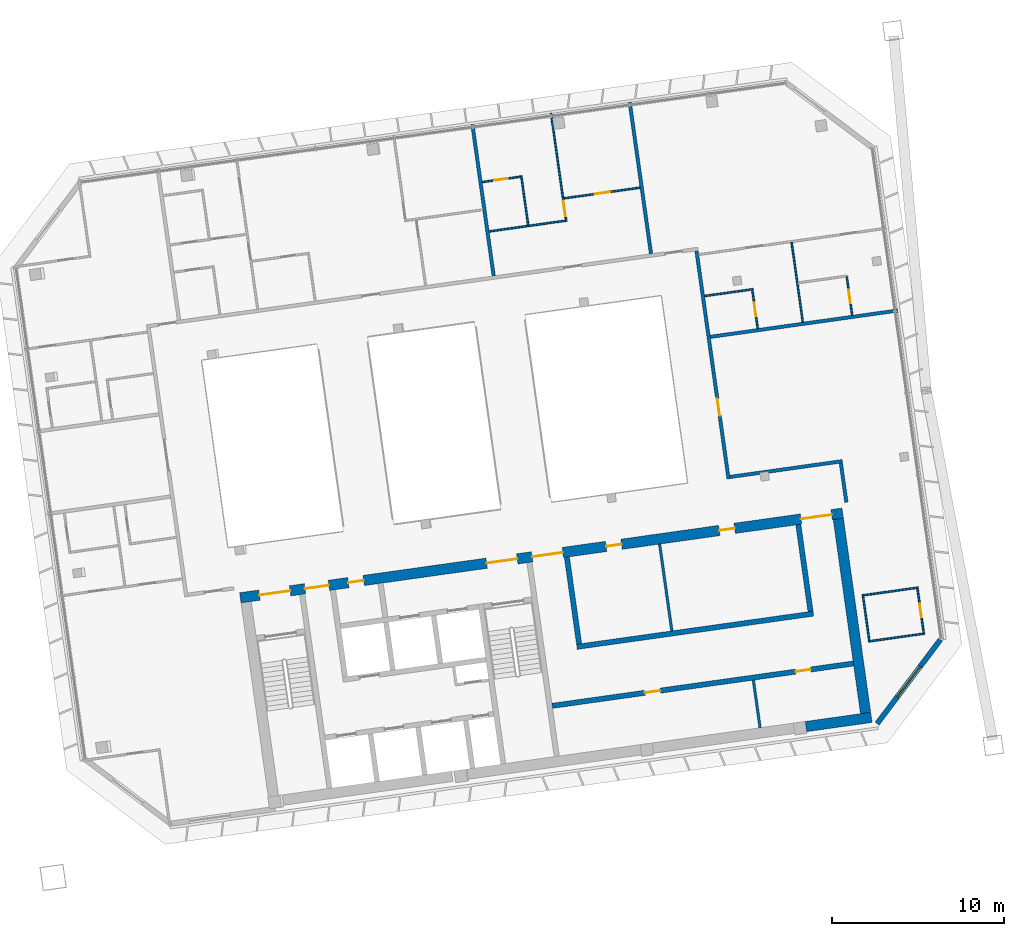
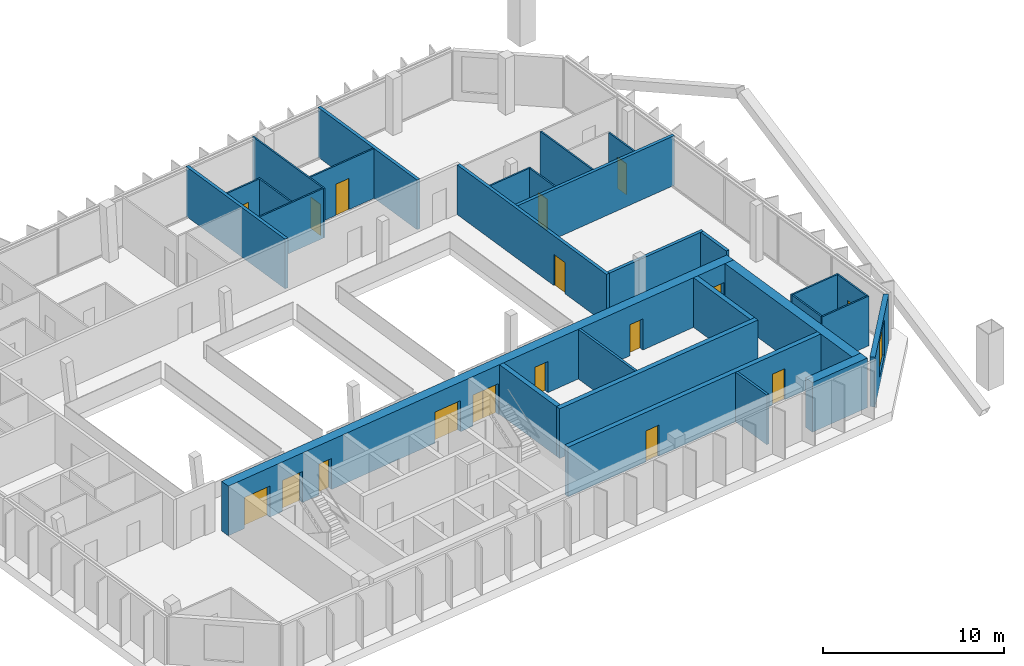
# One storey, part 19 of 23: 29 walls, 17 doors, 1 window, 18 openings.
"""IFC4 building model written with IfcOpenShell, lengths in metres."""

from ifc_helpers import new_model, si_unit, direction, frame, frame_2d, origin, place, context, subcontext, project, spatial, rectangle, extrude, material, layer, layer_set, type_object, element, fill, save


model = new_model("IFC4")

# Units and contexts
model_context = context("Model", 3, precision=1e-05, world=origin(), true_north=direction((0.0, 1.0)))
body_context = subcontext(model_context, "Body", "Model", "MODEL_VIEW")
ifc_project = project(units=[si_unit("LENGTHUNIT", "METRE"), si_unit("AREAUNIT", "SQUARE_METRE"), si_unit("VOLUMEUNIT", "CUBIC_METRE"), si_unit("PLANEANGLEUNIT", "RADIAN"), si_unit("MASSUNIT", "GRAM", prefix="KILO")], contexts=[model_context])

# Site, building, storey
site_placement = place(None, origin())
site = spatial("IfcSite", under=ifc_project, at=site_placement, CompositionType="ELEMENT")
building_placement = place(site_placement, origin())
building = spatial("IfcBuilding", under=site, at=building_placement, Name="Mirante Cascada Hotel Towers", CompositionType="ELEMENT")
storey_placement = place(building_placement, frame((0.0, 0.0, 220.4)))
storey = spatial("IfcBuildingStorey", under=building, at=storey_placement, Name="L52", CompositionType="ELEMENT", Elevation=220.4)

# Walls
ifc_material_1 = material(Name="Fire-rated plasterboard on metal studs")
ifc_layer_1 = layer(ifc_material_1, 0.2)
ifc_layer_set_1 = layer_set([ifc_layer_1], Name="Compartment wall 200 EI 120")
wall_type_1 = type_object("IfcWallType", Name="Compartment wall 200 EI 120", PredefinedType="PARTITIONING", material=ifc_layer_set_1)
wall_1_placement = place(storey_placement, frame((70.6781, 0.2835, 0.0), z_axis=(0.0, 0.0, 1.0), x_axis=(-0.990269, -0.1391661, 0.0)))
element("IfcWall", 1, at=wall_1_placement, inside=storey, type_object=wall_type_1, Name="Wall 2-L52-06", PredefinedType="PARTITIONING", context=body_context, shape_type="SweptSolid", body=[
    extrude(rectangle(XDim=6.6, YDim=0.2, at=frame_2d((3.3, 0.0))), origin(), (0.0, 0.0, 1.0), 3.35),
])
wall_2_placement = place(storey_placement, frame((62.9964, 7.5181, 0.0), z_axis=(0.0, 0.0, 1.0), x_axis=(0.990267, 0.139181, 0.0)))
element("IfcWall", 2, at=wall_2_placement, inside=storey, type_object=wall_type_1, Name="Wall 2-L52-11", PredefinedType="PARTITIONING", context=body_context, shape_type="SweptSolid", body=[
    extrude(rectangle(XDim=11.0001, YDim=0.2, at=frame_2d((5.5, 0.0))), origin(), (0.0, 0.0, 1.0), 3.35),
])
wall_3_placement = place(storey_placement, frame((49.1497, 19.878, 0.0), z_axis=(0.0, 0.0, 1.0), x_axis=(0.139181, -0.990267, 0.0)))
element("IfcWall", 3, at=wall_3_placement, inside=storey, type_object=wall_type_1, Name="Wall 2-L52-44", PredefinedType="PARTITIONING", context=body_context, shape_type="SweptSolid", body=[
    extrude(rectangle(XDim=8.8999, YDim=0.2, at=frame_2d((4.45, 0.0))), origin(), (0.0, 0.0, 1.0), 3.35),
])
wall_4_placement = place(storey_placement, frame((59.5443, 12.3514, 0.0), z_axis=(0.0, 0.0, 1.0), x_axis=(-0.1391794, 0.9902672, 0.0)))
element("IfcWall", 4, at=wall_4_placement, inside=storey, type_object=wall_type_1, Name="Wall 2-L52-47", PredefinedType="PARTITIONING", context=body_context, shape_type="SweptSolid", body=[
    extrude(rectangle(XDim=8.9, YDim=0.2, at=frame_2d((4.45, 0.0))), origin(), (0.0, 0.0, 1.0), 3.35),
])

# Wall, opening, door
wall_5_placement = place(storey_placement, frame((62.1923, 12.5216, 0.0), z_axis=(0.0, 0.0, 1.0), x_axis=(0.1391716, -0.9902683, 0.0)))
wall_5 = element("IfcWall", 5, at=wall_5_placement, inside=storey, type_object=wall_type_1, Name="Wall 2-L52-48", PredefinedType="PARTITIONING", context=body_context, shape_type="SweptSolid", body=[
    extrude(rectangle(XDim=13.4, YDim=0.2, at=frame_2d((6.7, 0.0))), origin(), (0.0, 0.0, 1.0), 3.35),
])
opening_1_placement = place(wall_5_placement, frame((8.6834, 0.0, 0.0)))
opening_1 = element("IfcOpeningElement", 6, at=opening_1_placement, cuts=wall_5, Name="Opening D2-L52-30", PredefinedType="OPENING", context=body_context, shape_type="SweptSolid", body=[
    extrude(rectangle(XDim=1.0, YDim=2.1, at=frame_2d((0.5, 1.05))), frame((0.0, 0.1, 0.0), z_axis=(0.0, -1.0, 0.0), x_axis=(1.0, 0.0, 0.0)), (0.0, 0.0, 1.0), 0.2),
])
ifc_material_2 = material(Name="Fire-rated timber door leaf", Category="wood")
door_type_1 = type_object("IfcDoorType", Name="Entrance door DG1 1000x2100 EI 60", OperationType="SINGLE_SWING_LEFT", PredefinedType="DOOR", material=ifc_material_2)
door_1_placement = place(opening_1_placement, origin())
door_1 = element("IfcDoor", 7, at=door_1_placement, inside=storey, type_object=door_type_1, Name="Door D2-L52-30", OperationType="SINGLE_SWING_LEFT", OverallHeight=2.1, OverallWidth=1.0, PredefinedType="DOOR", context=body_context, shape_type="SweptSolid", body=[
    extrude(rectangle(XDim=1.0, YDim=2.1, at=frame_2d((0.5, 1.05))), frame((0.0, 0.025, 0.0), z_axis=(0.0, -1.0, 0.0), x_axis=(1.0, 0.0, 0.0)), (0.0, 0.0, 1.0), 0.05),
])
fill(opening_1, door_1)

# Walls
wall_6_placement = place(storey_placement, frame((70.9131, -2.107, 0.0), z_axis=(0.0, 0.0, 1.0), x_axis=(-0.1391749, 0.9902678, 0.0)))
element("IfcWall", 8, at=wall_6_placement, inside=storey, type_object=wall_type_1, Name="Wall 2-L52-51", PredefinedType="PARTITIONING", context=body_context, shape_type="SweptSolid", body=[
    extrude(rectangle(XDim=2.3, YDim=0.2, at=frame_2d((1.15, 0.0))), origin(), (0.0, 0.0, 1.0), 3.35),
])
ifc_material_3 = material(Name="Masonry block", Category="masonry")
ifc_layer_2 = layer(ifc_material_3, 0.15)
ifc_layer_set_2 = layer_set([ifc_layer_2], Name="Core room partition 150 block EI 30")
wall_type_2 = type_object("IfcWallType", Name="Core room partition 150 block EI 30", PredefinedType="PARTITIONING", material=ifc_layer_set_2)
wall_7_placement = place(storey_placement, frame((65.8911, -15.2337, 0.0), z_axis=(0.0, 0.0, 1.0), x_axis=(-0.139181, 0.990267, 0.0)))
element("IfcWall", 9, at=wall_7_placement, inside=storey, type_object=wall_type_2, Name="Core wall partition T2 L52 5", PredefinedType="PARTITIONING", context=body_context, shape_type="SweptSolid", body=[
    extrude(rectangle(XDim=2.8, YDim=0.15, at=frame_2d((1.4, 0.0))), origin(), (0.0, 0.0, 1.0), 3.35),
])
wall_8_placement = place(storey_placement, frame((60.7561, -9.5935, 0.0), z_axis=(0.0, 0.0, 1.0), x_axis=(-0.1391755, 0.9902677, 0.0)))
element("IfcWall", 10, at=wall_8_placement, inside=storey, type_object=wall_type_2, Name="Core wall partition T2 L52 6", PredefinedType="PARTITIONING", context=body_context, shape_type="SweptSolid", body=[
    extrude(rectangle(XDim=5.1, YDim=0.15, at=frame_2d((2.55, 0.0))), origin(), (0.0, 0.0, 1.0), 3.35),
])

# Wall, openings, doors
ifc_material_4 = material(Name="Masonry block", Category="masonry")
ifc_layer_3 = layer(ifc_material_4, 0.3)
ifc_layer_set_3 = layer_set([ifc_layer_3], Name="Core wall 300 block EI 120")
wall_type_3 = type_object("IfcWallType", Name="Core wall 300 block EI 120", PredefinedType="PARTITIONING", material=ifc_layer_set_3)
wall_9_placement = place(storey_placement, frame((53.7953, -13.9547, 0.0), z_axis=(0.0, 0.0, 1.0), x_axis=(0.9902678, 0.1391747, 0.0)))
wall_9 = element("IfcWall", 11, at=wall_9_placement, inside=storey, type_object=wall_type_3, Name="Core wall partition T2 L52 4", PredefinedType="PARTITIONING", context=body_context, shape_type="SweptSolid", body=[
    extrude(rectangle(XDim=17.7001, YDim=0.3, at=frame_2d((8.85, 0.0))), origin(), (0.0, 0.0, 1.0), 3.35),
])
opening_2_placement = place(wall_9_placement, frame((5.45, 0.0, 0.0)))
opening_2 = element("IfcOpeningElement", 12, at=opening_2_placement, cuts=wall_9, Name="Opening D2-52-C17", PredefinedType="OPENING", context=body_context, shape_type="SweptSolid", body=[
    extrude(rectangle(XDim=0.9, YDim=2.1, at=frame_2d((0.45, 1.05))), frame((0.0, 0.15, 0.0), z_axis=(0.0, -1.0, 0.0), x_axis=(1.0, 0.0, 0.0)), (0.0, 0.0, 1.0), 0.3),
])
opening_3_placement = place(wall_9_placement, frame((14.3, 0.0, 0.0)))
opening_3 = element("IfcOpeningElement", 13, at=opening_3_placement, cuts=wall_9, Name="Opening D2-52-C18", PredefinedType="OPENING", context=body_context, shape_type="SweptSolid", body=[
    extrude(rectangle(XDim=0.9, YDim=2.1, at=frame_2d((0.45, 1.05))), frame((0.0, 0.15, 0.0), z_axis=(0.0, -1.0, 0.0), x_axis=(1.0, 0.0, 0.0)), (0.0, 0.0, 1.0), 0.3),
])
ifc_material_5 = material(Name="Hollow metal fire door leaf")
door_type_2 = type_object("IfcDoorType", Name="Fire door 900x2100 FD60", OperationType="NOTDEFINED", PredefinedType="DOOR", material=ifc_material_5)
door_2_placement = place(opening_2_placement, frame((0.9, 0.0, 0.0), z_axis=(0.0, 0.0, 1.0), x_axis=(-1.0, 0.0, 0.0)))
door_2 = element("IfcDoor", 14, at=door_2_placement, inside=storey, type_object=door_type_2, Name="Room door T2 L52 17", OperationType="SINGLE_SWING_LEFT", OverallHeight=2.1, OverallWidth=0.9, PredefinedType="DOOR", context=body_context, shape_type="SweptSolid", body=[
    extrude(rectangle(XDim=0.9, YDim=2.1, at=frame_2d((0.45, 1.05))), frame((0.0, 0.025, 0.0), z_axis=(0.0, -1.0, 0.0), x_axis=(1.0, 0.0, 0.0)), (0.0, 0.0, 1.0), 0.05),
])
fill(opening_2, door_2)
door_3_placement = place(opening_3_placement, frame((0.9, 0.0, 0.0), z_axis=(0.0, 0.0, 1.0), x_axis=(-1.0, 0.0, 0.0)))
door_3 = element("IfcDoor", 15, at=door_3_placement, inside=storey, type_object=door_type_2, Name="Room door T2 L52 18", OperationType="SINGLE_SWING_RIGHT", OverallHeight=2.1, OverallWidth=0.9, PredefinedType="DOOR", context=body_context, shape_type="SweptSolid", body=[
    extrude(rectangle(XDim=0.9, YDim=2.1, at=frame_2d((0.45, 1.05))), frame((0.0, 0.025, 0.0), z_axis=(0.0, -1.0, 0.0), x_axis=(1.0, 0.0, 0.0)), (0.0, 0.0, 1.0), 0.05),
])
fill(opening_3, door_3)

# Walls
ifc_material_6 = material(Name="Plasterboard on metal studs")
ifc_layer_4 = layer(ifc_material_6, 0.1)
ifc_layer_set_4 = layer_set([ifc_layer_4], Name="Partition 100")
wall_type_4 = type_object("IfcWallType", Name="Partition 100", PredefinedType="PARTITIONING", material=ifc_layer_set_4)
wall_10_placement = place(storey_placement, frame((75.4707, -9.7471, 0.0), z_axis=(0.0, 0.0, 1.0), x_axis=(-0.990267, -0.139181, 0.0)))
element("IfcWall", 16, at=wall_10_placement, inside=storey, type_object=wall_type_4, Name="Wall 2-L52-02", PredefinedType="PARTITIONING", context=body_context, shape_type="SweptSolid", body=[
    extrude(rectangle(XDim=3.3, YDim=0.1, at=frame_2d((1.65, 0.0))), origin(), (0.0, 0.0, 1.0), 3.35),
])
wall_11_placement = place(storey_placement, frame((71.8271, -7.5326, 0.0), z_axis=(0.0, 0.0, 1.0), x_axis=(0.9902705, 0.1391555, 0.0)))
element("IfcWall", 17, at=wall_11_placement, inside=storey, type_object=wall_type_4, Name="Wall 2-L52-03", PredefinedType="PARTITIONING", context=body_context, shape_type="SweptSolid", body=[
    extrude(rectangle(XDim=3.2999, YDim=0.1, at=frame_2d((1.65, 0.0))), origin(), (0.0, 0.0, 1.0), 3.35),
])
wall_12_placement = place(storey_placement, frame((65.4847, 10.2914, 0.0), z_axis=(0.0, 0.0, 1.0), x_axis=(-0.9902704, -0.1391564, 0.0)))
element("IfcWall", 18, at=wall_12_placement, inside=storey, type_object=wall_type_4, Name="Wall 2-L52-14", PredefinedType="PARTITIONING", context=body_context, shape_type="SweptSolid", body=[
    extrude(rectangle(XDim=2.85, YDim=0.1, at=frame_2d((1.425, 0.0))), origin(), (0.0, 0.0, 1.0), 3.35),
])
wall_13_placement = place(storey_placement, frame((50.1255, 13.6533, 0.0), z_axis=(0.0, 0.0, 1.0), x_axis=(0.9902689, 0.1391675, 0.0)))
element("IfcWall", 19, at=wall_13_placement, inside=storey, type_object=wall_type_4, Name="Wall 2-L52-19", PredefinedType="PARTITIONING", context=body_context, shape_type="SweptSolid", body=[
    extrude(rectangle(XDim=4.473, YDim=0.1, at=frame_2d((2.2365, 0.0))), origin(), (0.0, 0.0, 1.0), 3.35),
])

# Wall, opening, door
wall_14_placement = place(storey_placement, frame((54.4731, 15.5771, 0.0), z_axis=(0.0, 0.0, 1.0), x_axis=(0.9902684, 0.1391706, 0.0)))
wall_14 = element("IfcWall", 20, at=wall_14_placement, inside=storey, type_object=wall_type_4, Name="Wall 2-L52-23", PredefinedType="PARTITIONING", context=body_context, shape_type="SweptSolid", body=[
    extrude(rectangle(XDim=4.4729, YDim=0.1, at=frame_2d((2.2364, 0.0))), origin(), (0.0, 0.0, 1.0), 3.35),
])
opening_4_placement = place(wall_14_placement, frame((1.8114, 0.0, 0.0)))
opening_4 = element("IfcOpeningElement", 21, at=opening_4_placement, cuts=wall_14, Name="Opening D2-L52-15", PredefinedType="OPENING", context=body_context, shape_type="SweptSolid", body=[
    extrude(rectangle(XDim=0.9, YDim=2.1, at=frame_2d((0.45, 1.05))), frame((0.0, 0.05, 0.0), z_axis=(0.0, -1.0, 0.0), x_axis=(1.0, 0.0, 0.0)), (0.0, 0.0, 1.0), 0.1),
])
ifc_material_7 = material(Name="Timber door leaf", Category="wood")
door_type_3 = type_object("IfcDoorType", Name="Room door DG3 900x2100", OperationType="SINGLE_SWING_LEFT", PredefinedType="DOOR", material=ifc_material_7)
door_4_placement = place(opening_4_placement, frame((0.9, 0.0, 0.0), z_axis=(0.0, 0.0, 1.0), x_axis=(-1.0, 0.0, 0.0)))
door_4 = element("IfcDoor", 22, at=door_4_placement, inside=storey, type_object=door_type_3, Name="Door D2-L52-15", OperationType="SINGLE_SWING_RIGHT", OverallHeight=2.1, OverallWidth=0.9, PredefinedType="DOOR", context=body_context, shape_type="SweptSolid", body=[
    extrude(rectangle(XDim=0.9, YDim=2.1, at=frame_2d((0.45, 1.05))), frame((0.0, 0.025, 0.0), z_axis=(0.0, -1.0, 0.0), x_axis=(1.0, 0.0, 0.0)), (0.0, 0.0, 1.0), 0.05),
])
fill(opening_4, door_4)

wall_15_placement = place(storey_placement, frame((51.95, 16.8382, 0.0), z_axis=(0.0, 0.0, 1.0), x_axis=(-0.9902643, -0.1391997, 0.0)))
wall_15 = element("IfcWall", 23, at=wall_15_placement, inside=storey, type_object=wall_type_4, Name="Wall 2-L52-26", PredefinedType="PARTITIONING", context=body_context, shape_type="SweptSolid", body=[
    extrude(rectangle(XDim=2.25, YDim=0.1, at=frame_2d((1.125, 0.0))), origin(), (0.0, 0.0, 1.0), 3.35),
])
opening_5_placement = place(wall_15_placement, frame((0.75, 0.0, 0.0)))
opening_5 = element("IfcOpeningElement", 24, at=opening_5_placement, cuts=wall_15, Name="Opening D2-L52-19", PredefinedType="OPENING", context=body_context, shape_type="SweptSolid", body=[
    extrude(rectangle(XDim=0.8, YDim=2.1, at=frame_2d((0.4, 1.05))), frame((0.0, 0.05, 0.0), z_axis=(0.0, -1.0, 0.0), x_axis=(1.0, 0.0, 0.0)), (0.0, 0.0, 1.0), 0.1),
])
ifc_material_8 = material(Name="Timber door leaf", Category="wood")
door_type_4 = type_object("IfcDoorType", Name="Bathroom door DG4 800x2100", OperationType="SINGLE_SWING_LEFT", PredefinedType="DOOR", material=ifc_material_8)
door_5_placement = place(opening_5_placement, frame((0.8, 0.0, 0.0), z_axis=(0.0, 0.0, 1.0), x_axis=(-1.0, 0.0, 0.0)))
door_5 = element("IfcDoor", 25, at=door_5_placement, inside=storey, type_object=door_type_4, Name="Door D2-L52-19", OperationType="SINGLE_SWING_RIGHT", OverallHeight=2.1, OverallWidth=0.8, PredefinedType="DOOR", context=body_context, shape_type="SweptSolid", body=[
    extrude(rectangle(XDim=0.8, YDim=2.1, at=frame_2d((0.4, 1.05))), frame((0.0, 0.025, 0.0), z_axis=(0.0, -1.0, 0.0), x_axis=(1.0, 0.0, 0.0)), (0.0, 0.0, 1.0), 0.05),
])
fill(opening_5, door_5)

# Wall
wall_16_placement = place(storey_placement, frame((52.3962, 14.0229, 0.0), z_axis=(0.0, 0.0, 1.0), x_axis=(-0.1391714, 0.9902683, 0.0)))
element("IfcWall", 26, at=wall_16_placement, inside=storey, type_object=wall_type_4, Name="Wall 2-L52-45", PredefinedType="PARTITIONING", context=body_context, shape_type="SweptSolid", body=[
    extrude(rectangle(XDim=2.9, YDim=0.1, at=frame_2d((1.45, 0.0))), origin(), (0.0, 0.0, 1.0), 3.35),
])

# Wall, opening, door
wall_17_placement = place(storey_placement, frame((53.7277, 20.5214, 0.0), z_axis=(0.0, 0.0, 1.0), x_axis=(0.139181, -0.990267, 0.0)))
wall_17 = element("IfcWall", 27, at=wall_17_placement, inside=storey, type_object=wall_type_4, Name="Wall 2-L52-46", PredefinedType="PARTITIONING", context=body_context, shape_type="SweptSolid", body=[
    extrude(rectangle(XDim=6.35, YDim=0.1, at=frame_2d((3.175, 0.0))), origin(), (0.0, 0.0, 1.0), 3.35),
])
opening_6_placement = place(wall_17_placement, frame((5.15, 0.0, 0.0)))
opening_6 = element("IfcOpeningElement", 28, at=opening_6_placement, cuts=wall_17, Name="Opening D2-L52-29", PredefinedType="OPENING", context=body_context, shape_type="SweptSolid", body=[
    extrude(rectangle(XDim=0.9, YDim=2.1, at=frame_2d((0.45, 1.05))), frame((0.0, 0.05, 0.0), z_axis=(0.0, -1.0, 0.0), x_axis=(1.0, 0.0, 0.0)), (0.0, 0.0, 1.0), 0.1),
])
door_6_placement = place(opening_6_placement, frame((0.9, 0.0, 0.0), z_axis=(0.0, 0.0, 1.0), x_axis=(-1.0, 0.0, 0.0)))
door_6 = element("IfcDoor", 29, at=door_6_placement, inside=storey, type_object=door_type_3, Name="Door D2-L52-29", OperationType="SINGLE_SWING_RIGHT", OverallHeight=2.1, OverallWidth=0.9, PredefinedType="DOOR", context=body_context, shape_type="SweptSolid", body=[
    extrude(rectangle(XDim=0.9, YDim=2.1, at=frame_2d((0.45, 1.05))), frame((0.0, 0.025, 0.0), z_axis=(0.0, -1.0, 0.0), x_axis=(1.0, 0.0, 0.0)), (0.0, 0.0, 1.0), 0.05),
])
fill(opening_6, door_6)

wall_18_placement = place(storey_placement, frame((65.7553, 8.0069, 0.0), z_axis=(0.0, 0.0, 1.0), x_axis=(-0.1391997, 0.9902643, 0.0)))
wall_18 = element("IfcWall", 30, at=wall_18_placement, inside=storey, type_object=wall_type_4, Name="Wall 2-L52-49", PredefinedType="PARTITIONING", context=body_context, shape_type="SweptSolid", body=[
    extrude(rectangle(XDim=2.25, YDim=0.1, at=frame_2d((1.125, 0.0))), origin(), (0.0, 0.0, 1.0), 3.35),
])
opening_7_placement = place(wall_18_placement, frame((0.7, 0.0, 0.0)))
opening_7 = element("IfcOpeningElement", 31, at=opening_7_placement, cuts=wall_18, Name="Opening D2-L52-31", PredefinedType="OPENING", context=body_context, shape_type="SweptSolid", body=[
    extrude(rectangle(XDim=0.8, YDim=2.1, at=frame_2d((0.4, 1.05))), frame((0.0, 0.05, 0.0), z_axis=(0.0, -1.0, 0.0), x_axis=(1.0, 0.0, 0.0)), (0.0, 0.0, 1.0), 0.1),
])
door_7_placement = place(opening_7_placement, origin())
door_7 = element("IfcDoor", 32, at=door_7_placement, inside=storey, type_object=door_type_4, Name="Door D2-L52-31", OperationType="SINGLE_SWING_LEFT", OverallHeight=2.1, OverallWidth=0.8, PredefinedType="DOOR", context=body_context, shape_type="SweptSolid", body=[
    extrude(rectangle(XDim=0.8, YDim=2.1, at=frame_2d((0.4, 1.05))), frame((0.0, 0.025, 0.0), z_axis=(0.0, -1.0, 0.0), x_axis=(1.0, 0.0, 0.0)), (0.0, 0.0, 1.0), 0.05),
])
fill(opening_7, door_7)

# Walls
wall_19_placement = place(storey_placement, frame((67.7277, 13.0135, 0.0), z_axis=(0.0, 0.0, 1.0), x_axis=(0.139173, -0.9902681, 0.0)))
element("IfcWall", 33, at=wall_19_placement, inside=storey, type_object=wall_type_4, Name="Wall 2-L52-50", PredefinedType="PARTITIONING", context=body_context, shape_type="SweptSolid", body=[
    extrude(rectangle(XDim=4.6834, YDim=0.1, at=frame_2d((2.3417, 0.0))), origin(), (0.0, 0.0, 1.0), 3.35),
])
wall_20_placement = place(storey_placement, frame((71.8835, -7.5752, 0.0), z_axis=(0.0, 0.0, 1.0), x_axis=(0.1391918, -0.9902654, 0.0)))
element("IfcWall", 34, at=wall_20_placement, inside=storey, type_object=wall_type_4, Name="Wall 2-L52-52", PredefinedType="PARTITIONING", context=body_context, shape_type="SweptSolid", body=[
    extrude(rectangle(XDim=2.6, YDim=0.1, at=frame_2d((1.3, 0.0))), origin(), (0.0, 0.0, 1.0), 3.35),
])

# Wall, opening, door
wall_21_placement = place(storey_placement, frame((71.2513, 8.7793, 0.0), z_axis=(0.0, 0.0, 1.0), x_axis=(-0.1391997, 0.9902643, 0.0)))
wall_21 = element("IfcWall", 35, at=wall_21_placement, inside=storey, type_object=wall_type_4, Name="Wall 2-L52-53", PredefinedType="PARTITIONING", context=body_context, shape_type="SweptSolid", body=[
    extrude(rectangle(XDim=2.25, YDim=0.1, at=frame_2d((1.125, 0.0))), origin(), (0.0, 0.0, 1.0), 3.35),
])
opening_8_placement = place(wall_21_placement, frame((0.7, 0.0, 0.0)))
opening_8 = element("IfcOpeningElement", 36, at=opening_8_placement, cuts=wall_21, Name="Opening D2-L52-32", PredefinedType="OPENING", context=body_context, shape_type="SweptSolid", body=[
    extrude(rectangle(XDim=0.8, YDim=2.1, at=frame_2d((0.4, 1.05))), frame((0.0, 0.05, 0.0), z_axis=(0.0, -1.0, 0.0), x_axis=(1.0, 0.0, 0.0)), (0.0, 0.0, 1.0), 0.1),
])
door_8_placement = place(opening_8_placement, origin())
door_8 = element("IfcDoor", 37, at=door_8_placement, inside=storey, type_object=door_type_4, Name="Door D2-L52-32", OperationType="SINGLE_SWING_LEFT", OverallHeight=2.1, OverallWidth=0.8, PredefinedType="DOOR", context=body_context, shape_type="SweptSolid", body=[
    extrude(rectangle(XDim=0.8, YDim=2.1, at=frame_2d((0.4, 1.05))), frame((0.0, 0.025, 0.0), z_axis=(0.0, -1.0, 0.0), x_axis=(1.0, 0.0, 0.0)), (0.0, 0.0, 1.0), 0.05),
])
fill(opening_8, door_8)

wall_22_placement = place(storey_placement, frame((75.0524, -7.1298, 0.0), z_axis=(0.0, 0.0, 1.0), x_axis=(0.1391541, -0.9902707, 0.0)))
wall_22 = element("IfcWall", 38, at=wall_22_placement, inside=storey, type_object=wall_type_4, Name="Wall 2-L52-54", PredefinedType="PARTITIONING", context=body_context, shape_type="SweptSolid", body=[
    extrude(rectangle(XDim=2.6, YDim=0.1, at=frame_2d((1.3, 0.0))), origin(), (0.0, 0.0, 1.0), 3.35),
])
opening_9_placement = place(wall_22_placement, frame((0.9, 0.0, 0.0)))
opening_9 = element("IfcOpeningElement", 39, at=opening_9_placement, cuts=wall_22, Name="Opening D2-L52-33", PredefinedType="OPENING", context=body_context, shape_type="SweptSolid", body=[
    extrude(rectangle(XDim=0.8, YDim=2.1, at=frame_2d((0.4, 1.05))), frame((0.0, 0.05, 0.0), z_axis=(0.0, -1.0, 0.0), x_axis=(1.0, 0.0, 0.0)), (0.0, 0.0, 1.0), 0.1),
])
door_9_placement = place(opening_9_placement, frame((0.8, 0.0, 0.0), z_axis=(0.0, 0.0, 1.0), x_axis=(-1.0, 0.0, 0.0)))
door_9 = element("IfcDoor", 40, at=door_9_placement, inside=storey, type_object=door_type_4, Name="Door D2-L52-33", OperationType="SINGLE_SWING_RIGHT", OverallHeight=2.1, OverallWidth=0.8, PredefinedType="DOOR", context=body_context, shape_type="SweptSolid", body=[
    extrude(rectangle(XDim=0.8, YDim=2.1, at=frame_2d((0.4, 1.05))), frame((0.0, 0.025, 0.0), z_axis=(0.0, -1.0, 0.0), x_axis=(1.0, 0.0, 0.0)), (0.0, 0.0, 1.0), 0.05),
])
fill(opening_9, door_9)

# Wall, opening, window
ifc_material_9 = material(Name="Precast concrete C40/50", Category="concrete")
ifc_layer_5 = layer(ifc_material_9, 0.3)
ifc_layer_set_5 = layer_set([ifc_layer_5], Name="Precast concrete C40/50 cladding wall 300")
wall_type_5 = type_object("IfcWallType", Name="Precast concrete C40/50 cladding wall 300", PredefinedType="STANDARD", material=ifc_layer_set_5)
wall_23_placement = place(storey_placement, frame((72.7051, -14.9892, 0.0), z_axis=(0.0, 0.0, 1.0), x_axis=(0.6018141, 0.7986362, 0.0)))
wall_23 = element("IfcWall", 41, at=wall_23_placement, inside=storey, type_object=wall_type_5, Name="Corner cladding wall T2 L52 rear outer", PredefinedType="STANDARD", context=body_context, shape_type="SweptSolid", body=[
    extrude(rectangle(XDim=6.1157, YDim=0.3, at=frame_2d((3.0578, 0.0))), origin(), (0.0, 0.0, 1.0), 3.35),
])
opening_10_placement = place(wall_23_placement, frame((1.9578, 0.0, 0.6)))
opening_10 = element("IfcOpeningElement", 42, at=opening_10_placement, cuts=wall_23, Name="Opening W2-52-02", PredefinedType="OPENING", context=body_context, shape_type="SweptSolid", body=[
    extrude(rectangle(XDim=2.2, YDim=2.4, at=frame_2d((1.1, 1.2))), frame((0.0, 0.15, 0.0), z_axis=(0.0, -1.0, 0.0), x_axis=(1.0, 0.0, 0.0)), (0.0, 0.0, 1.0), 0.3),
])
ifc_material_10 = material(Name="Aluminium frame with clear double glazing", Category="aluminium")
window_type = type_object("IfcWindowType", Name="Corner suite window 2200x2400", PartitioningType="DOUBLE_PANEL_VERTICAL", PredefinedType="WINDOW", material=ifc_material_10)
window_placement = place(opening_10_placement, origin())
window = element("IfcWindow", 43, at=window_placement, inside=storey, type_object=window_type, Name="Window W2-52-02", OverallHeight=2.4, OverallWidth=2.2, PartitioningType="SINGLE_PANEL", PredefinedType="WINDOW", context=body_context, shape_type="SweptSolid", body=[
    extrude(rectangle(XDim=2.2, YDim=2.4, at=frame_2d((1.1, 1.2))), frame((0.0, 0.03, 0.0), z_axis=(0.0, -1.0, 0.0), x_axis=(1.0, 0.0, 0.0)), (0.0, 0.0, 1.0), 0.06),
])
fill(opening_10, window)

# Walls
ifc_material_11 = material(Name="Concrete C50/60", Category="concrete")
ifc_layer_6 = layer(ifc_material_11, 0.3)
ifc_layer_set_6 = layer_set([ifc_layer_6], Name="RC core wall 300 C50/60")
wall_type_6 = type_object("IfcWallType", Name="RC core wall 300 C50/60", PredefinedType="SHEAR", material=ifc_layer_set_6)
wall_24_placement = place(storey_placement, frame((55.2315, -10.5214, 0.0), z_axis=(0.0, 0.0, 1.0), x_axis=(0.9902681, 0.1391729, 0.0)))
element("IfcWall", 44, at=wall_24_placement, inside=storey, type_object=wall_type_6, Name="Core wall T2:L52:24", PredefinedType="SHEAR", context=body_context, shape_type="SweptSolid", body=[
    extrude(rectangle(XDim=13.9, YDim=0.3, at=frame_2d((6.95, 0.0))), origin(), (0.0, 0.0, 1.0), 3.35),
])
for number, where, z_axis, x_axis, name in (
    (45, (55.3592, -10.352, 0.0), (0.0, 0.0, 1.0), (-0.1391755, 0.9902677, 0.0), "Core wall T2:L52:25"),
    (46, (68.8268, -8.4592, 0.0), (0.0, 0.0, 1.0), (-0.1391755, 0.9902677, 0.0), "Core wall T2:L52:26"),
):
    element("IfcWall", number, at=place(storey_placement, frame(where, z_axis=z_axis, x_axis=x_axis)), inside=storey, type_object=wall_type_6, Name=name, PredefinedType="SHEAR", context=body_context, shape_type="SweptSolid", body=[
        extrude(rectangle(XDim=5.1, YDim=0.3, at=frame_2d((2.55, 0.0))), origin(), (0.0, 0.0, 1.0), 3.35),
    ])
ifc_material_12 = material(Name="Concrete C50/60", Category="concrete")
ifc_layer_7 = layer(ifc_material_12, 0.6)
ifc_layer_set_7 = layer_set([ifc_layer_7], Name="RC core wall 600 C50/60")
wall_type_7 = type_object("IfcWallType", Name="RC core wall 600 C50/60", PredefinedType="SHEAR", material=ifc_layer_set_7)
wall_25_placement = place(storey_placement, frame((68.557, -15.162, 0.0), z_axis=(0.0, 0.0, 1.0), x_axis=(0.990269, 0.1391665, 0.0)))
element("IfcWall", 47, at=wall_25_placement, inside=storey, type_object=wall_type_7, Name="Core wall T2:L52:1.4", PredefinedType="SHEAR", context=body_context, shape_type="SweptSolid", body=[
    extrude(rectangle(XDim=3.8501, YDim=0.6, at=frame_2d((1.925, 0.0))), origin(), (0.0, 0.0, 1.0), 3.35),
])

# Wall, openings, doors
wall_26_placement = place(storey_placement, frame((35.644, -7.6697, 0.0), z_axis=(0.0, 0.0, 1.0), x_axis=(0.9902682, 0.1391723, 0.0)))
wall_26 = element("IfcWall", 48, at=wall_26_placement, inside=storey, type_object=wall_type_7, Name="Core wall T2:L52:2", PredefinedType="SHEAR", context=body_context, shape_type="SweptSolid", body=[
    extrude(rectangle(XDim=35.4, YDim=0.6, at=frame_2d((17.7, 0.0))), origin(), (0.0, 0.0, 1.0), 3.35),
])
opening_11_placement = place(wall_26_placement, frame((1.125, 0.0, 0.0)))
opening_11 = element("IfcOpeningElement", 49, at=opening_11_placement, cuts=wall_26, Name="Opening D2-52-C08", PredefinedType="OPENING", context=body_context, shape_type="SweptSolid", body=[
    extrude(rectangle(XDim=1.8, YDim=2.1, at=frame_2d((0.9, 1.05))), frame((0.0, 0.3, 0.0), z_axis=(0.0, -1.0, 0.0), x_axis=(1.0, 0.0, 0.0)), (0.0, 0.0, 1.0), 0.6),
])
opening_12_placement = place(wall_26_placement, frame((14.475, 0.0, 0.0)))
opening_12 = element("IfcOpeningElement", 50, at=opening_12_placement, cuts=wall_26, Name="Opening D2-52-C10", PredefinedType="OPENING", context=body_context, shape_type="SweptSolid", body=[
    extrude(rectangle(XDim=1.8, YDim=2.1, at=frame_2d((0.9, 1.05))), frame((0.0, 0.3, 0.0), z_axis=(0.0, -1.0, 0.0), x_axis=(1.0, 0.0, 0.0)), (0.0, 0.0, 1.0), 0.6),
])
opening_13_placement = place(wall_26_placement, frame((3.8, 0.0, 0.0)))
opening_13 = element("IfcOpeningElement", 51, at=opening_13_placement, cuts=wall_26, Name="Opening D2-52-C11", PredefinedType="OPENING", context=body_context, shape_type="SweptSolid", body=[
    extrude(rectangle(XDim=1.4, YDim=2.1, at=frame_2d((0.7, 1.05))), frame((0.0, 0.3, 0.0), z_axis=(0.0, -1.0, 0.0), x_axis=(1.0, 0.0, 0.0)), (0.0, 0.0, 1.0), 0.6),
])
opening_14_placement = place(wall_26_placement, frame((17.15, 0.0, 0.0)))
opening_14 = element("IfcOpeningElement", 52, at=opening_14_placement, cuts=wall_26, Name="Opening D2-52-C12", PredefinedType="OPENING", context=body_context, shape_type="SweptSolid", body=[
    extrude(rectangle(XDim=1.8, YDim=2.1, at=frame_2d((0.9, 1.05))), frame((0.0, 0.3, 0.0), z_axis=(0.0, -1.0, 0.0), x_axis=(1.0, 0.0, 0.0)), (0.0, 0.0, 1.0), 0.6),
])
opening_15_placement = place(wall_26_placement, frame((32.95, 0.0, 0.0)))
opening_15 = element("IfcOpeningElement", 53, at=opening_15_placement, cuts=wall_26, Name="Opening D2-52-C13", PredefinedType="OPENING", context=body_context, shape_type="SweptSolid", body=[
    extrude(rectangle(XDim=1.8, YDim=2.1, at=frame_2d((0.9, 1.05))), frame((0.0, 0.3, 0.0), z_axis=(0.0, -1.0, 0.0), x_axis=(1.0, 0.0, 0.0)), (0.0, 0.0, 1.0), 0.6),
])
opening_16_placement = place(wall_26_placement, frame((6.35, 0.0, 0.0)))
opening_16 = element("IfcOpeningElement", 54, at=opening_16_placement, cuts=wall_26, Name="Opening D2-52-C16", PredefinedType="OPENING", context=body_context, shape_type="SweptSolid", body=[
    extrude(rectangle(XDim=0.9, YDim=2.1, at=frame_2d((0.45, 1.05))), frame((0.0, 0.3, 0.0), z_axis=(0.0, -1.0, 0.0), x_axis=(1.0, 0.0, 0.0)), (0.0, 0.0, 1.0), 0.6),
])
opening_17_placement = place(wall_26_placement, frame((21.5, 0.0, 0.0)))
opening_17 = element("IfcOpeningElement", 55, at=opening_17_placement, cuts=wall_26, Name="Opening D2-52-C19", PredefinedType="OPENING", context=body_context, shape_type="SweptSolid", body=[
    extrude(rectangle(XDim=0.9, YDim=2.1, at=frame_2d((0.45, 1.05))), frame((0.0, 0.3, 0.0), z_axis=(0.0, -1.0, 0.0), x_axis=(1.0, 0.0, 0.0)), (0.0, 0.0, 1.0), 0.6),
])
opening_18_placement = place(wall_26_placement, frame((28.15, 0.0, 0.0)))
opening_18 = element("IfcOpeningElement", 56, at=opening_18_placement, cuts=wall_26, Name="Opening D2-52-C20", PredefinedType="OPENING", context=body_context, shape_type="SweptSolid", body=[
    extrude(rectangle(XDim=0.9, YDim=2.1, at=frame_2d((0.45, 1.05))), frame((0.0, 0.3, 0.0), z_axis=(0.0, -1.0, 0.0), x_axis=(1.0, 0.0, 0.0)), (0.0, 0.0, 1.0), 0.6),
])
ifc_material_13 = material(Name="Hollow metal fire door leaf")
door_type_5 = type_object("IfcDoorType", Name="Double fire door 1400x2100 FD60", OperationType="DOUBLE_DOOR_SINGLE_SWING", PredefinedType="DOOR", material=ifc_material_13)
door_10_placement = place(opening_13_placement, origin())
door_10 = element("IfcDoor", 57, at=door_10_placement, inside=storey, type_object=door_type_5, Name="Exit door to gallery T2 L52 11", OperationType="DOUBLE_DOOR_SINGLE_SWING", OverallHeight=2.1, OverallWidth=1.4, PredefinedType="DOOR", context=body_context, shape_type="SweptSolid", body=[
    extrude(rectangle(XDim=0.695, YDim=2.1, at=frame_2d((0.3475, 1.05))), frame((0.0, 0.025, 0.0), z_axis=(0.0, -1.0, 0.0), x_axis=(1.0, 0.0, 0.0)), (0.0, 0.0, 1.0), 0.05),
    extrude(rectangle(XDim=0.695, YDim=2.1, at=frame_2d((1.0525, 1.05))), frame((0.0, 0.025, 0.0), z_axis=(0.0, -1.0, 0.0), x_axis=(1.0, 0.0, 0.0)), (0.0, 0.0, 1.0), 0.05),
])
fill(opening_13, door_10)
ifc_material_14 = material(Name="Hollow metal fire door leaf")
door_type_6 = type_object("IfcDoorType", Name="Double fire door 1800x2100 FD60", OperationType="DOUBLE_DOOR_SINGLE_SWING", PredefinedType="DOOR", material=ifc_material_14)
door_11_placement = place(opening_11_placement, frame((1.8, 0.0, 0.0), z_axis=(0.0, 0.0, 1.0), x_axis=(-1.0, 0.0, 0.0)))
door_11 = element("IfcDoor", 58, at=door_11_placement, inside=storey, type_object=door_type_6, Name="Exit door to gallery T2 L52 8", OperationType="DOUBLE_DOOR_SINGLE_SWING", OverallHeight=2.1, OverallWidth=1.8, PredefinedType="DOOR", context=body_context, shape_type="SweptSolid", body=[
    extrude(rectangle(XDim=0.895, YDim=2.1, at=frame_2d((0.4475, 1.05))), frame((0.0, 0.025, 0.0), z_axis=(0.0, -1.0, 0.0), x_axis=(1.0, 0.0, 0.0)), (0.0, 0.0, 1.0), 0.05),
    extrude(rectangle(XDim=0.895, YDim=2.1, at=frame_2d((1.3525, 1.05))), frame((0.0, 0.025, 0.0), z_axis=(0.0, -1.0, 0.0), x_axis=(1.0, 0.0, 0.0)), (0.0, 0.0, 1.0), 0.05),
])
fill(opening_11, door_11)
door_12_placement = place(opening_12_placement, frame((1.8, 0.0, 0.0), z_axis=(0.0, 0.0, 1.0), x_axis=(-1.0, 0.0, 0.0)))
door_12 = element("IfcDoor", 59, at=door_12_placement, inside=storey, type_object=door_type_6, Name="Exit door to gallery T2 L52 10", OperationType="DOUBLE_DOOR_SINGLE_SWING", OverallHeight=2.1, OverallWidth=1.8, PredefinedType="DOOR", context=body_context, shape_type="SweptSolid", body=[
    extrude(rectangle(XDim=0.895, YDim=2.1, at=frame_2d((0.4475, 1.05))), frame((0.0, 0.025, 0.0), z_axis=(0.0, -1.0, 0.0), x_axis=(1.0, 0.0, 0.0)), (0.0, 0.0, 1.0), 0.05),
    extrude(rectangle(XDim=0.895, YDim=2.1, at=frame_2d((1.3525, 1.05))), frame((0.0, 0.025, 0.0), z_axis=(0.0, -1.0, 0.0), x_axis=(1.0, 0.0, 0.0)), (0.0, 0.0, 1.0), 0.05),
])
fill(opening_12, door_12)
door_13_placement = place(opening_14_placement, origin())
door_13 = element("IfcDoor", 60, at=door_13_placement, inside=storey, type_object=door_type_6, Name="Exit door to gallery T2 L52 12", OperationType="DOUBLE_DOOR_SINGLE_SWING", OverallHeight=2.1, OverallWidth=1.8, PredefinedType="DOOR", context=body_context, shape_type="SweptSolid", body=[
    extrude(rectangle(XDim=0.895, YDim=2.1, at=frame_2d((0.4475, 1.05))), frame((0.0, 0.025, 0.0), z_axis=(0.0, -1.0, 0.0), x_axis=(1.0, 0.0, 0.0)), (0.0, 0.0, 1.0), 0.05),
    extrude(rectangle(XDim=0.895, YDim=2.1, at=frame_2d((1.3525, 1.05))), frame((0.0, 0.025, 0.0), z_axis=(0.0, -1.0, 0.0), x_axis=(1.0, 0.0, 0.0)), (0.0, 0.0, 1.0), 0.05),
])
fill(opening_14, door_13)
door_14_placement = place(opening_15_placement, origin())
door_14 = element("IfcDoor", 61, at=door_14_placement, inside=storey, type_object=door_type_6, Name="Exit door to gallery T2 L52 13", OperationType="DOUBLE_DOOR_SINGLE_SWING", OverallHeight=2.1, OverallWidth=1.8, PredefinedType="DOOR", context=body_context, shape_type="SweptSolid", body=[
    extrude(rectangle(XDim=0.895, YDim=2.1, at=frame_2d((0.4475, 1.05))), frame((0.0, 0.025, 0.0), z_axis=(0.0, -1.0, 0.0), x_axis=(1.0, 0.0, 0.0)), (0.0, 0.0, 1.0), 0.05),
    extrude(rectangle(XDim=0.895, YDim=2.1, at=frame_2d((1.3525, 1.05))), frame((0.0, 0.025, 0.0), z_axis=(0.0, -1.0, 0.0), x_axis=(1.0, 0.0, 0.0)), (0.0, 0.0, 1.0), 0.05),
])
fill(opening_15, door_14)
door_15_placement = place(opening_16_placement, frame((0.9, 0.0, 0.0), z_axis=(0.0, 0.0, 1.0), x_axis=(-1.0, 0.0, 0.0)))
door_15 = element("IfcDoor", 62, at=door_15_placement, inside=storey, type_object=door_type_2, Name="Room door T2 L52 16", OperationType="SINGLE_SWING_LEFT", OverallHeight=2.1, OverallWidth=0.9, PredefinedType="DOOR", context=body_context, shape_type="SweptSolid", body=[
    extrude(rectangle(XDim=0.9, YDim=2.1, at=frame_2d((0.45, 1.05))), frame((0.0, 0.025, 0.0), z_axis=(0.0, -1.0, 0.0), x_axis=(1.0, 0.0, 0.0)), (0.0, 0.0, 1.0), 0.05),
])
fill(opening_16, door_15)
door_16_placement = place(opening_17_placement, frame((0.9, 0.0, 0.0), z_axis=(0.0, 0.0, 1.0), x_axis=(-1.0, 0.0, 0.0)))
door_16 = element("IfcDoor", 63, at=door_16_placement, inside=storey, type_object=door_type_2, Name="Room door T2 L52 19", OperationType="SINGLE_SWING_RIGHT", OverallHeight=2.1, OverallWidth=0.9, PredefinedType="DOOR", context=body_context, shape_type="SweptSolid", body=[
    extrude(rectangle(XDim=0.9, YDim=2.1, at=frame_2d((0.45, 1.05))), frame((0.0, 0.025, 0.0), z_axis=(0.0, -1.0, 0.0), x_axis=(1.0, 0.0, 0.0)), (0.0, 0.0, 1.0), 0.05),
])
fill(opening_17, door_16)
door_17_placement = place(opening_18_placement, frame((0.9, 0.0, 0.0), z_axis=(0.0, 0.0, 1.0), x_axis=(-1.0, 0.0, 0.0)))
door_17 = element("IfcDoor", 64, at=door_17_placement, inside=storey, type_object=door_type_2, Name="Room door T2 L52 20", OperationType="SINGLE_SWING_RIGHT", OverallHeight=2.1, OverallWidth=0.9, PredefinedType="DOOR", context=body_context, shape_type="SweptSolid", body=[
    extrude(rectangle(XDim=0.9, YDim=2.1, at=frame_2d((0.45, 1.05))), frame((0.0, 0.025, 0.0), z_axis=(0.0, -1.0, 0.0), x_axis=(1.0, 0.0, 0.0)), (0.0, 0.0, 1.0), 0.05),
])
fill(opening_18, door_17)

# Wall
wall_27_placement = place(storey_placement, frame((72.0307, -14.3708, 0.0), z_axis=(0.0, 0.0, 1.0), x_axis=(-0.1391675, 0.9902689, 0.0)))
element("IfcWall", 65, at=wall_27_placement, inside=storey, type_object=wall_type_7, Name="Core wall T2:L52:4", PredefinedType="SHEAR", context=body_context, shape_type="SweptSolid", body=[
    extrude(rectangle(XDim=11.3999, YDim=0.6, at=frame_2d((5.7, 0.0))), origin(), (0.0, 0.0, 1.0), 3.35),
])

save(model, "model.ifc")
